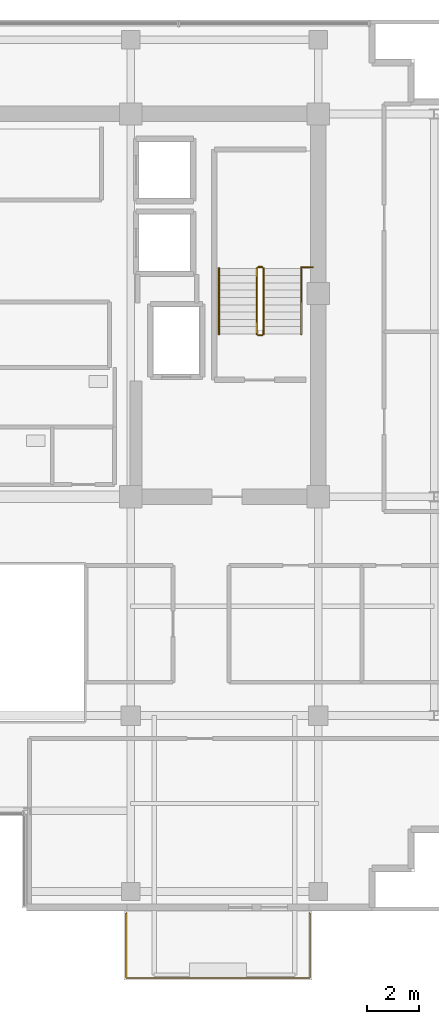
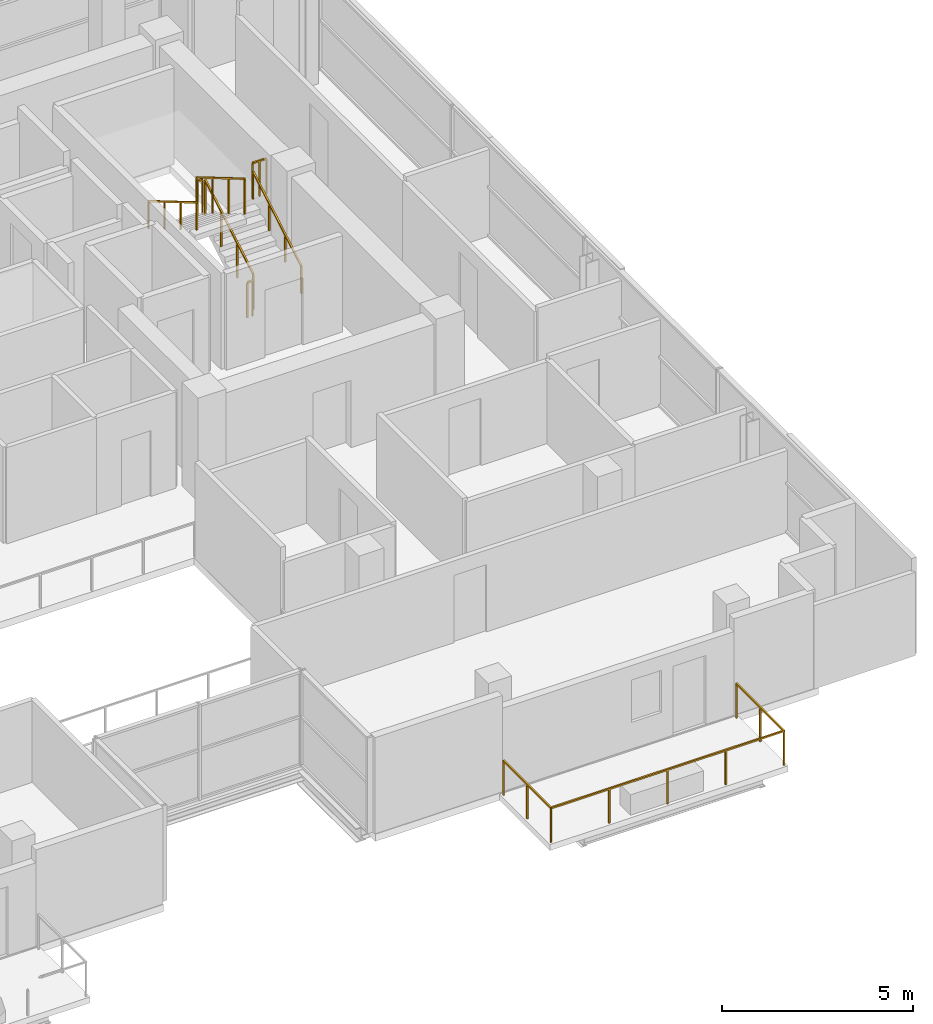
# One storey, part 21 of 22: 8 railings.
"""IFC4 building model written with IfcOpenShell, lengths in metres."""

from ifc_helpers import new_model, si_unit, direction, frame, origin, origin_2d, place, context, subcontext, project, spatial, rectangle, extrude, material, type_object, element, save


model = new_model("IFC4")

# Units and contexts
model_context = context("Model", 3, precision=1e-05, world=origin(), true_north=direction((0.0, 1.0)))
body_context = subcontext(model_context, "Body", "Model", "MODEL_VIEW")
ifc_project = project(units=[si_unit("LENGTHUNIT", "METRE"), si_unit("AREAUNIT", "SQUARE_METRE"), si_unit("VOLUMEUNIT", "CUBIC_METRE"), si_unit("PLANEANGLEUNIT", "RADIAN"), si_unit("MASSUNIT", "GRAM", prefix="KILO")], contexts=[model_context])

# Site, building, storey
site_placement = place(None, origin())
site = spatial("IfcSite", under=ifc_project, at=site_placement, CompositionType="ELEMENT")
building_placement = place(site_placement, origin())
building = spatial("IfcBuilding", under=site, at=building_placement, Name="Zarnakvel Exchange Tower", CompositionType="ELEMENT")
storey_placement = place(building_placement, frame((0.0, 0.0, 215.5)))
storey = spatial("IfcBuildingStorey", under=building, at=storey_placement, Name="L60", CompositionType="ELEMENT", Elevation=215.5)

# Railings
ifc_material_1 = material(Name="Architectural Bronze Anodised Aluminium", Category="aluminium")
railing_type_1 = type_object("IfcRailingType", Name="GR-02", PredefinedType="GUARDRAIL", material=ifc_material_1)
railing_1_placement = place(storey_placement, frame((7.030029296875, -17.179931640625, -0.034912109375)))
element("IfcRailing", 1, at=railing_1_placement, inside=storey, type_object=railing_type_1, Name="L60 Balcony Guardrail BAL-L60-SE", PredefinedType="GUARDRAIL", context=body_context, shape_type="SweptSolid", body=[
    extrude(rectangle(XDim=0.048095703125, YDim=0.048095703125, at=origin_2d()), frame((0.0, 0.0, 1.09619140625), z_axis=(0.0, -1.0, 0.0), x_axis=(1.0, 0.0, 0.0)), (0.0, 0.0, 1.0), 2.489990234375),
    extrude(rectangle(XDim=0.048095703125, YDim=0.048095703125, at=origin_2d()), frame((0.0, -2.489990234375, 1.09619140625), z_axis=(1.0, 0.0, 0.0), x_axis=(0.0, 1.0, 0.0)), (0.0, 0.0, 1.0), 7.0400390625),
    extrude(rectangle(XDim=0.048095703125, YDim=0.048095703125, at=origin_2d()), frame((7.0400390625, -2.489990234375, 1.09619140625), z_axis=(0.0, 1.0, 0.0), x_axis=(-1.0, 0.0, 0.0)), (0.0, 0.0, 1.0), 2.489990234375),
    extrude(rectangle(XDim=0.0419921875, YDim=0.0419921875, at=origin_2d()), origin(), (0.0, 0.0, 1.0), 1.072021484375),
    extrude(rectangle(XDim=0.0419921875, YDim=0.0419921875, at=origin_2d()), frame((0.0, -1.2451171875, 0.0)), (0.0, 0.0, 1.0), 1.072021484375),
    extrude(rectangle(XDim=0.0419921875, YDim=0.0419921875, at=origin_2d()), frame((0.0, -2.489990234375, 0.0)), (0.0, 0.0, 1.0), 1.072021484375),
    extrude(rectangle(XDim=0.0419921875, YDim=0.0419921875, at=origin_2d()), frame((1.760009765625, -2.489990234375, 0.0)), (0.0, 0.0, 1.0), 1.072021484375),
    extrude(rectangle(XDim=0.0419921875, YDim=0.0419921875, at=origin_2d()), frame((3.52001953125, -2.489990234375, 0.0)), (0.0, 0.0, 1.0), 1.072021484375),
    extrude(rectangle(XDim=0.0419921875, YDim=0.0419921875, at=origin_2d()), frame((5.280029296875, -2.489990234375, 0.0)), (0.0, 0.0, 1.0), 1.072021484375),
    extrude(rectangle(XDim=0.0419921875, YDim=0.0419921875, at=origin_2d()), frame((7.0400390625, -2.489990234375, 0.0)), (0.0, 0.0, 1.0), 1.072021484375),
    extrude(rectangle(XDim=0.0419921875, YDim=0.0419921875, at=origin_2d()), frame((7.0400390625, -1.2451171875, 0.0)), (0.0, 0.0, 1.0), 1.072021484375),
    extrude(rectangle(XDim=0.0419921875, YDim=0.0419921875, at=origin_2d()), frame((7.0400390625, 0.0, 0.0)), (0.0, 0.0, 1.0), 1.072021484375),
])
ifc_material_2 = material(Name="Brushed Stainless Steel", Category="steel")
railing_type_2 = type_object("IfcRailingType", Name="HR-01", PredefinedType="HANDRAIL", material=ifc_material_2)
railing_2_placement = place(storey_placement, frame((13.75, 5.050048828125, 0.1650390625)))
element("IfcRailing", 2, at=railing_2_placement, inside=storey, type_object=railing_type_2, Name="L60 ST-02 stair handrail 1", PredefinedType="HANDRAIL", context=body_context, shape_type="SweptSolid", body=[
    extrude(rectangle(XDim=0.048095703125, YDim=0.048095703125, at=origin_2d()), frame((0.0, 0.0, 0.8759765625), z_axis=(0.0, 0.861560626758, 0.507654692109), x_axis=(-1.0, 0.0, 0.0)), (0.0, 0.0, 1.0), 2.925048828125),
    extrude(rectangle(XDim=0.0419921875, YDim=0.0419921875, at=origin_2d()), origin(), (0.0, 0.0, 1.0), 0.851806640625),
    extrude(rectangle(XDim=0.0419921875, YDim=0.0419921875, at=origin_2d()), frame((0.0, 0.840087890625, 0.494873046875)), (0.0, 0.0, 1.0), 0.851806640625),
    extrude(rectangle(XDim=0.0419921875, YDim=0.0419921875, at=origin_2d()), frame((0.0, 1.679931640625, 0.989990234375)), (0.0, 0.0, 1.0), 0.851806640625),
    extrude(rectangle(XDim=0.0419921875, YDim=0.0419921875, at=origin_2d()), frame((0.0, 2.52001953125, 1.48486328125)), (0.0, 0.0, 1.0), 0.851806640625),
])
railing_3_placement = place(storey_placement, frame((10.590087890625, 7.570068359375, 1.81494140625)))
element("IfcRailing", 3, at=railing_3_placement, inside=storey, type_object=railing_type_2, Name="L60 ST-02 stair handrail 2", PredefinedType="HANDRAIL", context=body_context, shape_type="SweptSolid", body=[
    extrude(rectangle(XDim=0.048095703125, YDim=0.048095703125, at=origin_2d()), frame((0.0, 0.0, 0.8759765625), z_axis=(0.0, -0.86152411907, 0.507716645641), x_axis=(1.0, 0.0, 0.0)), (0.0, 0.0, 1.0), 2.925048828125),
    extrude(rectangle(XDim=0.0419921875, YDim=0.0419921875, at=origin_2d()), origin(), (0.0, 0.0, 1.0), 0.851806640625),
    extrude(rectangle(XDim=0.0419921875, YDim=0.0419921875, at=origin_2d()), frame((0.0, -0.840087890625, 0.4951171875)), (0.0, 0.0, 1.0), 0.851806640625),
    extrude(rectangle(XDim=0.0419921875, YDim=0.0419921875, at=origin_2d()), frame((0.0, -1.679931640625, 0.989990234375)), (0.0, 0.0, 1.0), 0.851806640625),
    extrude(rectangle(XDim=0.0419921875, YDim=0.0419921875, at=origin_2d()), frame((0.0, -2.52001953125, 1.485107421875)), (0.0, 0.0, 1.0), 0.851806640625),
])
railing_type_3 = type_object("IfcRailingType", Name="SG-01", PredefinedType="GUARDRAIL", material=ifc_material_1)
railing_4_placement = place(storey_placement, frame((12.300048828125, 5.050048828125, 0.1650390625)))
element("IfcRailing", 4, at=railing_4_placement, inside=storey, type_object=railing_type_3, Name="L60 ST-02 stair guard 1", PredefinedType="GUARDRAIL", context=body_context, shape_type="SweptSolid", body=[
    extrude(rectangle(XDim=0.048095703125, YDim=0.048095703125, at=origin_2d()), frame((0.0, 0.0, 1.1259765625), z_axis=(0.0, 0.861560626758, 0.507654692109), x_axis=(-1.0, 0.0, 0.0)), (0.0, 0.0, 1.0), 2.925048828125),
    extrude(rectangle(XDim=0.0419921875, YDim=0.0419921875, at=origin_2d()), origin(), (0.0, 0.0, 1.0), 1.101806640625),
    extrude(rectangle(XDim=0.0419921875, YDim=0.0419921875, at=origin_2d()), frame((0.0, 0.840087890625, 0.494873046875)), (0.0, 0.0, 1.0), 1.101806640625),
    extrude(rectangle(XDim=0.0419921875, YDim=0.0419921875, at=origin_2d()), frame((0.0, 1.679931640625, 0.989990234375)), (0.0, 0.0, 1.0), 1.101806640625),
    extrude(rectangle(XDim=0.0419921875, YDim=0.0419921875, at=origin_2d()), frame((0.0, 2.52001953125, 1.48486328125)), (0.0, 0.0, 1.0), 1.101806640625),
])
railing_5_placement = place(storey_placement, frame((12.25, 7.6201171875, 1.64990234375)))
element("IfcRailing", 5, at=railing_5_placement, inside=storey, type_object=railing_type_3, Name="L60 ST-02 stair guard 2", PredefinedType="GUARDRAIL", context=body_context, shape_type="SweptSolid", body=[
    extrude(rectangle(XDim=0.048095703125, YDim=0.048095703125, at=origin_2d()), frame((0.0, 0.0, 1.1259765625), z_axis=(-1.0, 0.0, 0.0), x_axis=(0.0, -1.0, 0.0)), (0.0, 0.0, 1.0), 0.159912109375),
    extrude(rectangle(XDim=0.0419921875, YDim=0.0419921875, at=origin_2d()), origin(), (0.0, 0.0, 1.0), 1.101806640625),
    extrude(rectangle(XDim=0.0419921875, YDim=0.0419921875, at=origin_2d()), frame((-0.159912109375, 0.0, 0.0)), (0.0, 0.0, 1.0), 1.101806640625),
])
railing_6_placement = place(storey_placement, frame((12.0400390625, 7.570068359375, 1.81494140625)))
element("IfcRailing", 6, at=railing_6_placement, inside=storey, type_object=railing_type_3, Name="L60 ST-02 stair guard 3", PredefinedType="GUARDRAIL", context=body_context, shape_type="SweptSolid", body=[
    extrude(rectangle(XDim=0.048095703125, YDim=0.048095703125, at=origin_2d()), frame((0.0, 0.0, 1.1259765625), z_axis=(0.0, -0.86152411907, 0.507716645641), x_axis=(1.0, 0.0, 0.0)), (0.0, 0.0, 1.0), 2.925048828125),
    extrude(rectangle(XDim=0.0419921875, YDim=0.0419921875, at=origin_2d()), origin(), (0.0, 0.0, 1.0), 1.101806640625),
    extrude(rectangle(XDim=0.0419921875, YDim=0.0419921875, at=origin_2d()), frame((0.0, -0.840087890625, 0.4951171875)), (0.0, 0.0, 1.0), 1.101806640625),
    extrude(rectangle(XDim=0.0419921875, YDim=0.0419921875, at=origin_2d()), frame((0.0, -1.679931640625, 0.989990234375)), (0.0, 0.0, 1.0), 1.101806640625),
    extrude(rectangle(XDim=0.0419921875, YDim=0.0419921875, at=origin_2d()), frame((0.0, -2.52001953125, 1.485107421875)), (0.0, 0.0, 1.0), 1.101806640625),
])
railing_7_placement = place(storey_placement, frame((12.25, 5.0, 0.0)))
element("IfcRailing", 7, at=railing_7_placement, inside=storey, type_object=railing_type_3, Name="L60 ST-02 stair guard 4", PredefinedType="GUARDRAIL", context=body_context, shape_type="SweptSolid", body=[
    extrude(rectangle(XDim=0.048095703125, YDim=0.048095703125, at=origin_2d()), frame((0.0, 0.0, 1.1259765625), z_axis=(-1.0, 0.0, 0.0), x_axis=(0.0, -1.0, 0.0)), (0.0, 0.0, 1.0), 0.159912109375),
    extrude(rectangle(XDim=0.0419921875, YDim=0.0419921875, at=origin_2d()), origin(), (0.0, 0.0, 1.0), 1.101806640625),
    extrude(rectangle(XDim=0.0419921875, YDim=0.0419921875, at=origin_2d()), frame((-0.159912109375, 0.0, 0.0)), (0.0, 0.0, 1.0), 1.101806640625),
])
railing_8_placement = place(storey_placement, frame((13.75, 7.610107421875, 1.64990234375)))
element("IfcRailing", 8, at=railing_8_placement, inside=storey, type_object=railing_type_3, Name="L60 ST-02 Landing Slot Guardrail", PredefinedType="GUARDRAIL", context=body_context, shape_type="SweptSolid", body=[
    extrude(rectangle(XDim=0.048095703125, YDim=0.048095703125, at=origin_2d()), frame((0.0, 0.0, 1.1259765625), z_axis=(1.0, 0.0, 0.0), x_axis=(0.0, 1.0, 0.0)), (0.0, 0.0, 1.0), 0.429931640625),
    extrude(rectangle(XDim=0.0419921875, YDim=0.0419921875, at=origin_2d()), origin(), (0.0, 0.0, 1.0), 1.101806640625),
    extrude(rectangle(XDim=0.0419921875, YDim=0.0419921875, at=origin_2d()), frame((0.21484375, 0.0, 0.0)), (0.0, 0.0, 1.0), 1.101806640625),
    extrude(rectangle(XDim=0.0419921875, YDim=0.0419921875, at=origin_2d()), frame((0.429931640625, 0.0, 0.0)), (0.0, 0.0, 1.0), 1.101806640625),
])

save(model, "model.ifc")
